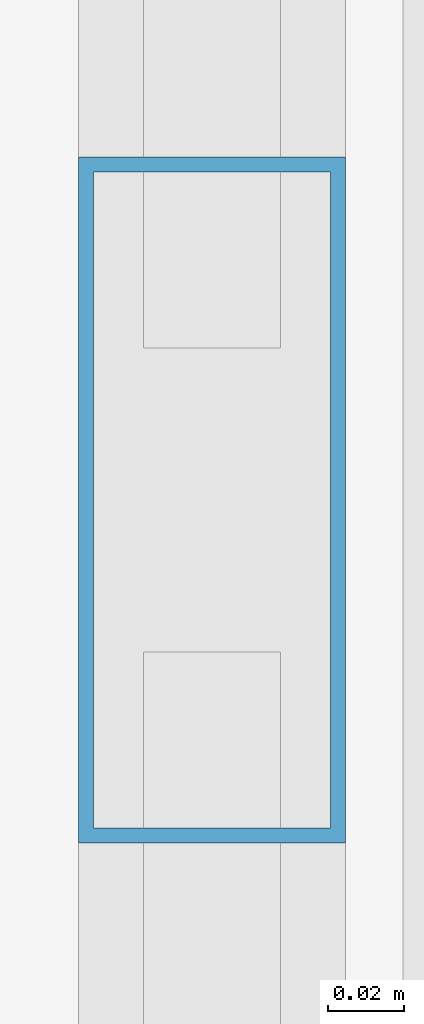
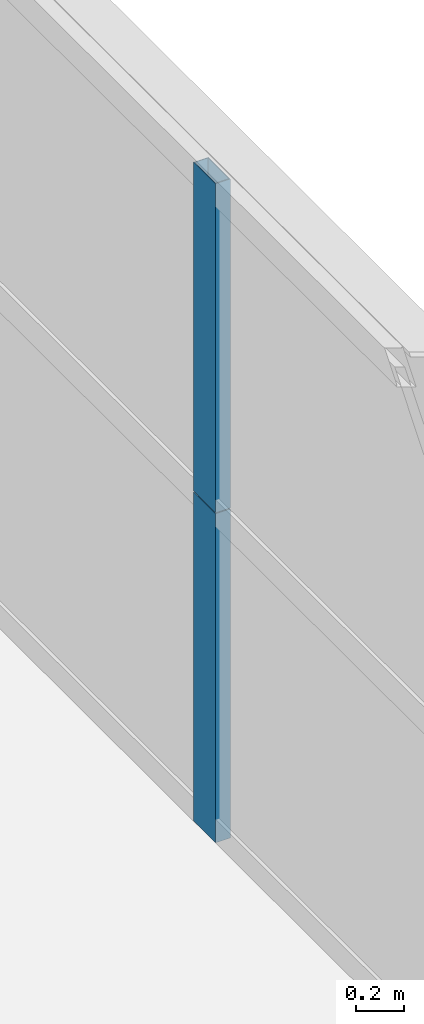
# One storey, part 19 of 43: 2 members, 1 element without a shape of its own.
"""IFC4 building model written with IfcOpenShell, lengths in metres."""

from ifc_helpers import new_model, si_unit, direction, frame, origin, origin_2d, place, context, subcontext, project, spatial, hollow_rectangle, extrude, source, transform, mapped, material, layer, layer_set, material_profile, profile_set, type_object, element, aggregate, save


model = new_model("IFC4")

# Units and contexts
model_context = context("Model", 3, precision=1e-05, world=origin(), true_north=direction((0.0, 1.0)))
body_context = subcontext(model_context, "Body", "Model", "MODEL_VIEW")
ifc_project = project(units=[si_unit("LENGTHUNIT", "METRE"), si_unit("AREAUNIT", "SQUARE_METRE"), si_unit("VOLUMEUNIT", "CUBIC_METRE"), si_unit("PLANEANGLEUNIT", "RADIAN"), si_unit("MASSUNIT", "GRAM", prefix="KILO"), si_unit("THERMODYNAMICTEMPERATUREUNIT", "KELVIN"), si_unit("POWERUNIT", "WATT")], contexts=[model_context])

# Site, building, storey
site_placement = place(None, origin())
site = spatial("IfcSite", under=ifc_project, at=site_placement, CompositionType="ELEMENT")
building_placement = place(site_placement, origin())
building = spatial("IfcBuilding", under=site, at=building_placement, Name="Yuzanri Waterfront Tower", CompositionType="ELEMENT")
storey_placement = place(building_placement, frame((0.0, 0.0, 37.800048828125)))
storey = spatial("IfcBuildingStorey", under=building, at=storey_placement, Name="L09", CompositionType="ELEMENT", Elevation=37.800048828125)

# Curtain wall, members
ifc_material_1 = material(Name="Anodized Architectural Bronze", Category="metal")
ifc_layer = layer(ifc_material_1, 0.159912109375)
ifc_layer_set = layer_set([ifc_layer], Name="Anodized Architectural Bronze")
curtain_wall_type = type_object("IfcCurtainWallType", Name="Anodized Bronze Hotel Lower-Tier Recessed Unitized Curtain Wall 8100", PredefinedType="NOTDEFINED", material=ifc_layer_set)
curtain_wall_placement = place(storey_placement, origin())
curtain_wall = element("IfcCurtainWall", 1, at=curtain_wall_placement, inside=storey, type_object=curtain_wall_type, Name="L09 Curtain Wall CW-L09-EL", PredefinedType="NOTDEFINED")
ifc_material_2 = material(Name="Anodized Architectural Bronze", Category="metal")
ifc_material_profile = material_profile(ifc_material_2, hollow_rectangle(XDim=0.070068359375, YDim=0.179931640625, WallThickness=0.00390625, at=origin_2d()), Name="CWM 70x180")
ifc_profile_set = profile_set([ifc_material_profile], Name="Anodized Architectural Bronze")
member_type = type_object("IfcMemberType", Name="Anodized Bronze Standard Curtain-Wall Mullion 70x180", PredefinedType="MULLION", material=ifc_profile_set)
shared_shape_1 = source(origin(), body_context, "Body", "SweptSolid", [
    extrude(hollow_rectangle(XDim=0.070068359375, YDim=0.179931640625, WallThickness=0.00390625, at=origin_2d()), origin(), (0.0, 0.0, 1.0), 1.657958984375),
])
member_1_placement = place(storey_placement, frame((61.949951171875, 16.699951171875, 0.0), z_axis=(0.0, 0.0, 1.0), x_axis=(1.0, 0.0, 0.0)))
member_1 = element("IfcMember", 2, at=member_1_placement, type_object=member_type, Name="CW-L09-EL Lower Mullion 01", PredefinedType="MULLION", context=body_context, shape_type="MappedRepresentation", body=[
    mapped(shared_shape_1, transform((0.0, 0.0, 0.0), scale=1.0)),
])
shared_shape_2 = source(origin(), body_context, "Body", "SweptSolid", [
    extrude(hollow_rectangle(XDim=0.070068359375, YDim=0.179931640625, WallThickness=0.00390625, at=origin_2d()), origin(), (0.0, 0.0, 1.0), 1.658203125),
])
member_2_placement = place(storey_placement, frame((61.949951171875, 16.699951171875, 1.661865234375), z_axis=(0.0, 0.0, 1.0), x_axis=(1.0, 0.0, 0.0)))
member_2 = element("IfcMember", 3, at=member_2_placement, type_object=member_type, Name="CW-L09-EL Upper Mullion 01", PredefinedType="MULLION", context=body_context, shape_type="MappedRepresentation", body=[
    mapped(shared_shape_2, transform((0.0, 0.0, 0.0), scale=1.0)),
])
aggregate(curtain_wall, [member_1, member_2])

save(model, "model.ifc")
